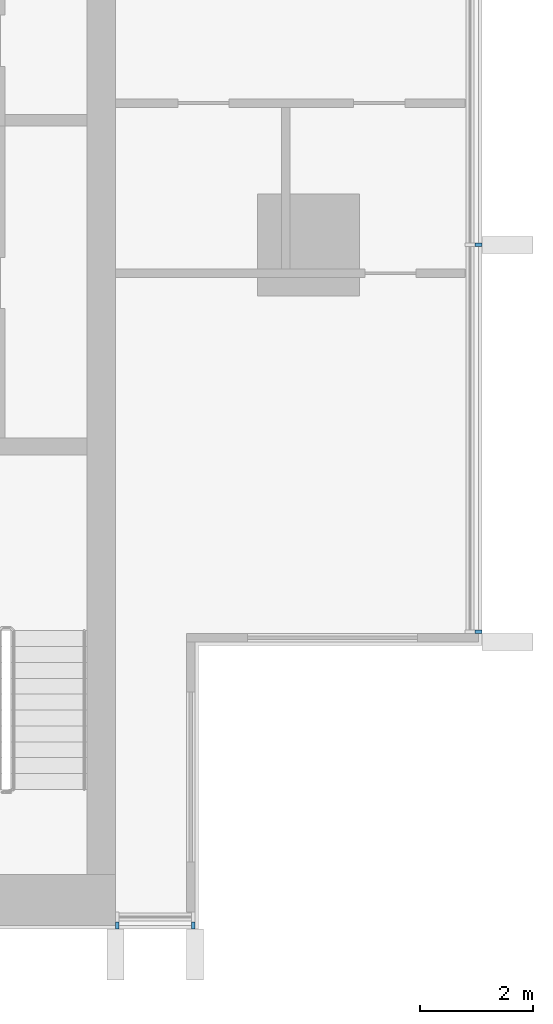
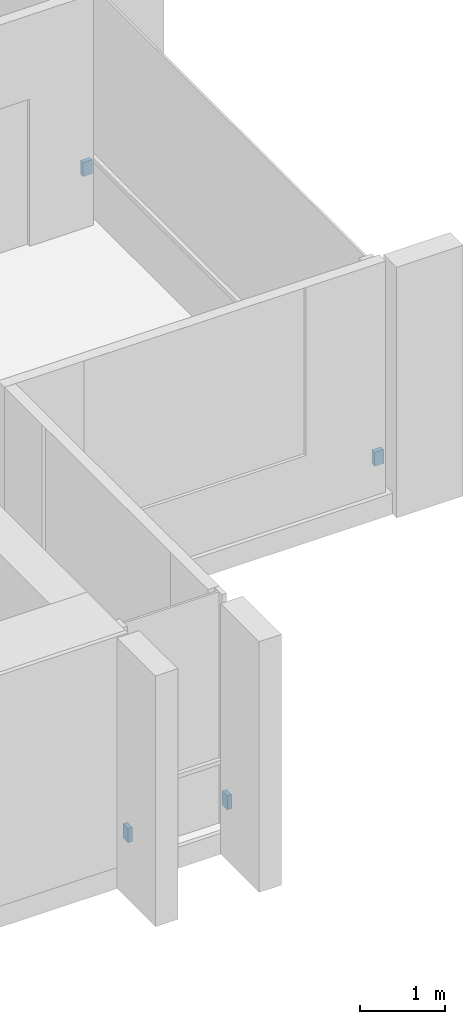
# One storey, part 13 of 16: 4 discrete accessories.
"""IFC4 building model written with IfcOpenShell, lengths in metres."""

from ifc_helpers import new_model, si_unit, direction, frame, origin, origin_2d, place, context, subcontext, project, spatial, rectangle, extrude, material, type_object, element, save


model = new_model("IFC4")

# Units and contexts
model_context = context("Model", 3, precision=1e-05, world=origin(), true_north=direction((0.0, 1.0)))
body_context = subcontext(model_context, "Body", "Model", "MODEL_VIEW")
ifc_project = project(units=[si_unit("LENGTHUNIT", "METRE"), si_unit("AREAUNIT", "SQUARE_METRE"), si_unit("VOLUMEUNIT", "CUBIC_METRE"), si_unit("PLANEANGLEUNIT", "RADIAN"), si_unit("MASSUNIT", "GRAM", prefix="KILO")], contexts=[model_context])

# Site, building, storey
site_placement = place(None, origin())
site = spatial("IfcSite", under=ifc_project, at=site_placement, CompositionType="ELEMENT")
building_placement = place(site_placement, origin())
building = spatial("IfcBuilding", under=site, at=building_placement, Name="Finial Court Residences", CompositionType="ELEMENT")
storey_placement = place(building_placement, frame((0.0, 0.0, 284.300048828125)))
storey = spatial("IfcBuildingStorey", under=building, at=storey_placement, Name="L72", CompositionType="ELEMENT", Elevation=284.300048828125)

# Discrete accessories
ifc_material = material(Name="Stainless steel 316", Category="steel")
discrete_accessory_type = type_object("IfcDiscreteAccessoryType", Name="Fin bracket, stainless steel 60 x 122 x 200", PredefinedType="BRACKET", material=ifc_material)
for number, where, z_axis, x_axis, name in (
    (1, (19.498779296875, -20.320068359375, 0.2998046875), (0.0, 0.0, 1.0), (1.0, 0.0, 0.0), "E-L72-FIN-E7-BRK"),
    (2, (19.498779296875, -13.5, 0.2998046875), (0.0, 0.0, 1.0), (1.0, 0.0, 0.0), "E-L72-FIN-E8-BRK"),
):
    element("IfcDiscreteAccessory", number, at=place(storey_placement, frame(where, z_axis=z_axis, x_axis=x_axis)), inside=storey, type_object=discrete_accessory_type, Name=name, PredefinedType="BRACKET", context=body_context, shape_type="SweptSolid", body=[
        extrude(rectangle(XDim=0.12255859375, YDim=0.06005859375, at=origin_2d()), origin(), (0.0, 0.0, 1.0), 0.199951171875),
    ])
for number, where, z_axis, x_axis, name in (
    (3, (13.1298828125, -25.498779296875, 0.2998046875), (0.0, 0.0, 1.0), (1.0, 0.0, 0.0), "E-L72-FIN-S19-BRK"),
    (4, (14.469970703125, -25.498779296875, 0.2998046875), (0.0, 0.0, 1.0), (1.0, 0.0, 0.0), "E-L72-FIN-S20-BRK"),
):
    element("IfcDiscreteAccessory", number, at=place(storey_placement, frame(where, z_axis=z_axis, x_axis=x_axis)), inside=storey, type_object=discrete_accessory_type, Name=name, PredefinedType="BRACKET", context=body_context, shape_type="SweptSolid", body=[
        extrude(rectangle(XDim=0.06005859375, YDim=0.12255859375, at=origin_2d()), origin(), (0.0, 0.0, 1.0), 0.199951171875),
    ])

save(model, "model.ifc")
